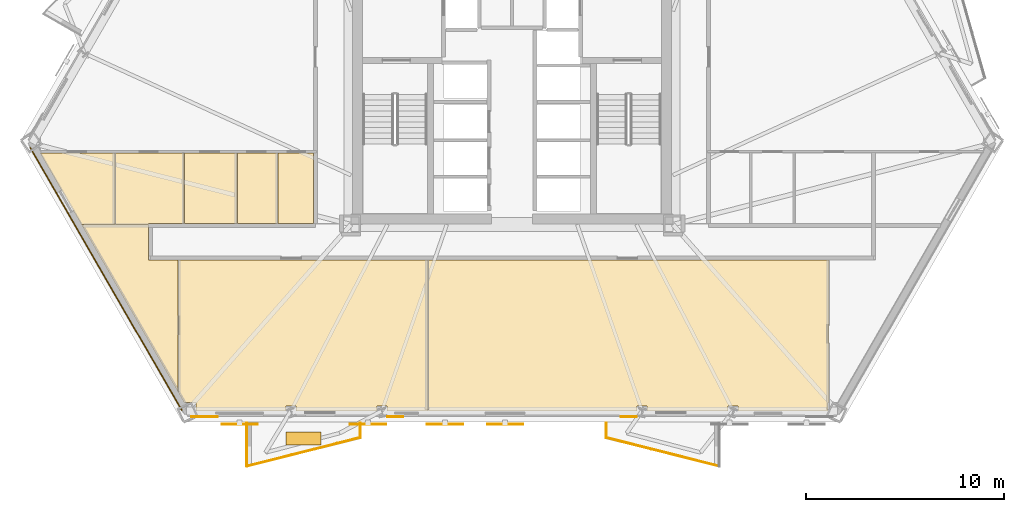
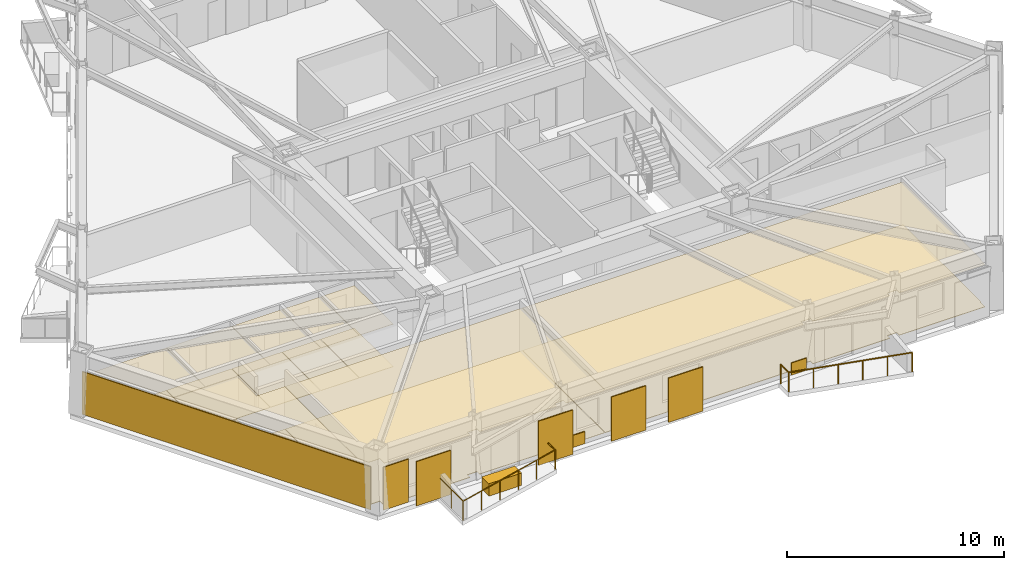
# One storey, part 7 of 12: 21 coverings, 5 railings, 4 shading devices.
"""IFC4 building model written with IfcOpenShell, lengths in metres."""

from ifc_helpers import new_model, si_unit, direction, frame, origin, origin_2d, place, context, subcontext, project, spatial, polyline, rectangle, circle, outline, extrude, material, layer, layer_set, type_object, element, save


model = new_model("IFC4")

# Units and contexts
model_context = context("Model", 3, precision=1e-05, world=origin(), true_north=direction((0.0, 1.0)))
body_context = subcontext(model_context, "Body", "Model", "MODEL_VIEW")
ifc_project = project(units=[si_unit("LENGTHUNIT", "METRE"), si_unit("AREAUNIT", "SQUARE_METRE"), si_unit("VOLUMEUNIT", "CUBIC_METRE"), si_unit("PLANEANGLEUNIT", "RADIAN"), si_unit("MASSUNIT", "GRAM", prefix="KILO")], contexts=[model_context])

# Site, building, storey
site_placement = place(None, origin())
site = spatial("IfcSite", under=ifc_project, at=site_placement, CompositionType="ELEMENT")
building_placement = place(site_placement, origin())
building = spatial("IfcBuilding", under=site, at=building_placement, Name="Oramaril Tower", CompositionType="ELEMENT")
storey_placement = place(building_placement, frame((0.0, 0.0, 30.89990234375)))
storey = spatial("IfcBuildingStorey", under=building, at=storey_placement, Name="L07", CompositionType="ELEMENT", Elevation=30.89990234375)

# Coverings
ifc_material_1 = material(Name="Mineral Fibre Acoustic Ceiling")
ifc_layer_1 = layer(ifc_material_1, 0.02001953125)
ifc_layer_set_1 = layer_set([ifc_layer_1], Name="CVT-CEIL")
covering_type_1 = type_object("IfcCoveringType", Name="CVT-CEIL", PredefinedType="CEILING", material=ifc_layer_set_1)
covering_1_placement = place(storey_placement, frame((0.0, 0.0, 2.400146484375)))
element("IfcCovering", 1, at=covering_1_placement, inside=storey, type_object=covering_type_1, Name="L07 Acoustic Suspended Ceiling 6", PredefinedType="CEILING", context=body_context, shape_type="SweptSolid", body=[
    extrude(outline(polyline([(31.172119140625, 1.807373046875), (30.67822265625, 1.807373046875), (30.67822265625, 1.57373046875), (26.57666015625, 1.57373046875), (26.57666015625, 1.807373046875), (26.06884765625, 1.807373046875), (26.06884765625, 1.57373046875), (21.5078125, 1.57373046875), (21.5078125, 1.990234375), (20.909423828125, 1.990234375), (20.619384765625, 2.492919921875), (20.619384765625, 9.199951171875), (33.241943359375, 9.199951171875), (33.241943359375, 1.57373046875), (31.172119140625, 1.57373046875), (31.172119140625, 1.807373046875)])), origin(), (0.0, 0.0, 1.0), 0.02001953125),
])
covering_2_placement = place(storey_placement, frame((0.0, 0.0, 2.400146484375)))
element("IfcCovering", 2, at=covering_2_placement, inside=storey, type_object=covering_type_1, Name="L07 Acoustic Suspended Ceiling 7", PredefinedType="CEILING", context=body_context, shape_type="SweptSolid", body=[
    extrude(outline(polyline([(15.71240234375, 10.991943359375), (19.10009765625, 10.991943359375), (19.10009765625, 9.219970703125), (19.10009765625, 9.218017578125), (19.100341796875, 9.216064453125), (19.100830078125, 9.214111328125), (19.1015625, 9.21240234375), (19.102294921875, 9.210693359375), (19.103515625, 9.208984375), (19.1044921875, 9.207275390625), (19.10595703125, 9.205810546875), (19.107421875, 9.20458984375), (19.10888671875, 9.203369140625), (19.110595703125, 9.202392578125), (19.1123046875, 9.201416015625), (19.1142578125, 9.200927734375), (19.1162109375, 9.200439453125), (19.117919921875, 9.2001953125), (19.1201171875, 9.199951171875), (20.599365234375, 9.199951171875), (20.599365234375, 2.527587890625), (15.71240234375, 10.991943359375)])), origin(), (0.0, 0.0, 1.0), 0.02001953125),
])
covering_3_placement = place(storey_placement, frame((0.0, 0.0, 2.400146484375)))
element("IfcCovering", 3, at=covering_3_placement, inside=storey, type_object=covering_type_1, Name="L07 Acoustic Suspended Ceiling 8", PredefinedType="CEILING", context=body_context, shape_type="SweptSolid", body=[
    extrude(outline(polyline([(53.4921875, 1.990234375), (53.4921875, 1.57373046875), (48.93115234375, 1.57373046875), (48.93115234375, 1.807373046875), (48.42333984375, 1.807373046875), (48.42333984375, 1.57373046875), (44.32177734375, 1.57373046875), (44.32177734375, 1.807373046875), (43.827880859375, 1.807373046875), (43.827880859375, 1.57373046875), (33.261962890625, 1.57373046875), (33.261962890625, 9.199951171875), (53.53369140625, 9.199951171875), (53.53369140625, 1.990234375), (53.4921875, 1.990234375)])), origin(), (0.0, 0.0, 1.0), 0.02001953125),
])
covering_4_placement = place(storey_placement, frame((0.0, 0.0, 2.400146484375)))
element("IfcCovering", 4, at=covering_4_placement, inside=storey, type_object=covering_type_1, Name="L07 Acoustic Suspended Ceiling 11", PredefinedType="CEILING", context=body_context, shape_type="SweptSolid", body=[
    extrude(outline(polyline([(17.41552734375, 11.011962890625), (15.71240234375, 11.011962890625), (15.71044921875, 11.011962890625), (15.70849609375, 11.01171875), (15.70654296875, 11.010986328125), (15.70458984375, 11.010498046875), (15.702880859375, 11.009521484375), (15.702392578125, 11.00927734375), (13.611083984375, 14.631591796875), (17.41552734375, 14.631591796875), (17.41552734375, 11.011962890625)])), origin(), (0.0, 0.0, 1.0), 0.02001953125),
])
covering_5_placement = place(storey_placement, frame((0.0, 0.0, 2.400146484375)))
element("IfcCovering", 5, at=covering_5_placement, inside=storey, type_object=covering_type_1, Name="L07 Acoustic Suspended Ceiling 12", PredefinedType="CEILING", context=body_context, shape_type="SweptSolid", body=[
    extrude(outline(polyline([(20.89697265625, 11.050048828125), (19.1201171875, 11.050048828125), (19.117919921875, 11.0498046875), (19.1162109375, 11.049560546875), (19.1142578125, 11.049072265625), (19.1123046875, 11.048583984375), (19.110595703125, 11.047607421875), (19.10888671875, 11.046630859375), (19.107421875, 11.04541015625), (19.10595703125, 11.044189453125), (19.1044921875, 11.042724609375), (19.103515625, 11.041015625), (19.102294921875, 11.039306640625), (19.1015625, 11.03759765625), (19.100830078125, 11.035888671875), (19.100341796875, 11.033935546875), (19.10009765625, 11.031982421875), (19.10009765625, 11.030029296875), (19.10009765625, 11.011962890625), (17.435546875, 11.011962890625), (17.435546875, 14.631591796875), (20.89697265625, 14.631591796875), (20.89697265625, 11.050048828125)])), origin(), (0.0, 0.0, 1.0), 0.02001953125),
])
covering_6_placement = place(storey_placement, frame((0.0, 0.0, 2.400146484375)))
element("IfcCovering", 6, at=covering_6_placement, inside=storey, type_object=covering_type_1, Name="L07 Acoustic Suspended Ceiling 13", PredefinedType="CEILING", context=body_context, shape_type="SweptSolid", body=[
    extrude(outline(polyline([(23.58251953125, 11.050048828125), (20.9169921875, 11.050048828125), (20.9169921875, 14.631591796875), (23.58251953125, 14.631591796875), (23.58251953125, 11.050048828125)])), origin(), (0.0, 0.0, 1.0), 0.02001953125),
])
covering_7_placement = place(storey_placement, frame((0.0, 0.0, 2.400146484375)))
element("IfcCovering", 7, at=covering_7_placement, inside=storey, type_object=covering_type_1, Name="L07 Acoustic Suspended Ceiling 14", PredefinedType="CEILING", context=body_context, shape_type="SweptSolid", body=[
    extrude(outline(polyline([(25.632568359375, 11.050048828125), (23.6025390625, 11.050048828125), (23.6025390625, 14.631591796875), (25.632568359375, 14.631591796875), (25.632568359375, 11.050048828125)])), origin(), (0.0, 0.0, 1.0), 0.02001953125),
])
covering_8_placement = place(storey_placement, frame((0.0, 0.0, 2.400146484375)))
element("IfcCovering", 8, at=covering_8_placement, inside=storey, type_object=covering_type_1, Name="L07 Acoustic Suspended Ceiling 15", PredefinedType="CEILING", context=body_context, shape_type="SweptSolid", body=[
    extrude(outline(polyline([(25.652587890625, 14.631591796875), (27.449951171875, 14.631591796875), (27.449951171875, 11.050048828125), (25.652587890625, 11.050048828125), (25.652587890625, 14.631591796875)])), origin(), (0.0, 0.0, 1.0), 0.02001953125),
])
ifc_material_2 = material(Name="Warm Cream Limestone", Category="masonry")
ifc_layer_2 = layer(ifc_material_2, 0.050048828125)
ifc_layer_set_2 = layer_set([ifc_layer_2], Name="CVT-CLD")
covering_type_2 = type_object("IfcCoveringType", Name="CVT-CLD", PredefinedType="CLADDING", material=ifc_layer_set_2)
covering_9_placement = place(storey_placement, frame((16.954833984375, 8.23828125, 0.0400390625), z_axis=(0.0, 0.0, 1.0), x_axis=(0.4999984885, -0.866026276448, 0.0)))
element("IfcCovering", 9, at=covering_9_placement, inside=storey, type_object=covering_type_2, Name="L07 Warm Cream Limestone Cladding", PredefinedType="CLADDING", context=body_context, shape_type="SweptSolid", body=[
    extrude(rectangle(XDim=15.36328125, YDim=0.050048828125, at=origin_2d()), origin(), (0.0, 0.0, 1.0), 2.4140625),
])
covering_10_placement = place(storey_placement, frame((21.937744140625, 1.272705078125, 0.0400390625), z_axis=(0.0, 0.0, 1.0), x_axis=(1.0, 0.0, 0.0)))
element("IfcCovering", 10, at=covering_10_placement, inside=storey, type_object=covering_type_2, Name="L07 Warm Cream Limestone Cladding", PredefinedType="CLADDING", context=body_context, shape_type="SweptSolid", body=[
    extrude(rectangle(XDim=1.35009765625, YDim=0.050048828125, at=origin_2d()), origin(), (0.0, 0.0, 1.0), 2.4140625),
])
for number, where, z_axis, x_axis, name in (
    (11, (31.591552734375, 1.272705078125, 0.0400390625), (0.0, 0.0, 1.0), (1.0, 0.0, 0.0), "L07 Warm Cream Limestone Spandrel Cladding"),
    (12, (43.408447265625, 1.272705078125, 0.0400390625), (0.0, 0.0, 1.0), (1.0, 0.0, 0.0), "L07 Warm Cream Limestone Spandrel Cladding"),
):
    element("IfcCovering", number, at=place(storey_placement, frame(where, z_axis=z_axis, x_axis=x_axis)), inside=storey, type_object=covering_type_2, Name=name, PredefinedType="CLADDING", context=body_context, shape_type="SweptSolid", body=[
        extrude(rectangle(XDim=0.800048828125, YDim=0.050048828125, at=origin_2d()), origin(), (0.0, 0.0, 1.0), 0.679931640625),
    ])
covering_11_placement = place(storey_placement, frame((26.947021484375, 0.169189453125, 0.0), z_axis=(0.0, 0.0, 1.0), x_axis=(1.0, 0.0, 0.0)))
element("IfcCovering", 13, at=covering_11_placement, inside=storey, type_object=covering_type_2, Name="L07 Structural Tree Planter Box L07-BAL-S1", PredefinedType="CLADDING", context=body_context, shape_type="SweptSolid", body=[
    extrude(rectangle(XDim=1.75, YDim=0.64990234375, at=origin_2d()), origin(), (0.0, 0.0, 1.0), 0.699951171875),
])
ifc_material_3 = material(Name="Honed Quartzite Stone Flooring", Category="masonry")
ifc_layer_3 = layer(ifc_material_3, 0.02490234375)
ifc_layer_set_3 = layer_set([ifc_layer_3], Name="CVT-FLR")
covering_type_3 = type_object("IfcCoveringType", Name="CVT-FLR", PredefinedType="FLOORING", material=ifc_layer_set_3)
covering_12_placement = place(storey_placement, origin())
element("IfcCovering", 14, at=covering_12_placement, inside=storey, type_object=covering_type_3, Name="L07 Honed Stone Floor Finish 6", PredefinedType="FLOORING", context=body_context, shape_type="SweptSolid", body=[
    extrude(outline(polyline([(31.172119140625, 1.807373046875), (30.67822265625, 1.807373046875), (30.67822265625, 1.57373046875), (26.57666015625, 1.57373046875), (26.57666015625, 1.807373046875), (26.06884765625, 1.807373046875), (26.06884765625, 1.57373046875), (21.5078125, 1.57373046875), (21.5078125, 1.990234375), (20.909423828125, 1.990234375), (20.619384765625, 2.492919921875), (20.619384765625, 9.199951171875), (33.241943359375, 9.199951171875), (33.241943359375, 1.57373046875), (31.172119140625, 1.57373046875), (31.172119140625, 1.807373046875)])), origin(), (0.0, 0.0, 1.0), 0.025146484375),
])
covering_13_placement = place(storey_placement, origin())
element("IfcCovering", 15, at=covering_13_placement, inside=storey, type_object=covering_type_3, Name="L07 Honed Stone Floor Finish 7", PredefinedType="FLOORING", context=body_context, shape_type="SweptSolid", body=[
    extrude(outline(polyline([(15.71240234375, 10.991943359375), (19.10009765625, 10.991943359375), (19.10009765625, 9.219970703125), (19.10009765625, 9.218017578125), (19.100341796875, 9.216064453125), (19.100830078125, 9.214111328125), (19.1015625, 9.21240234375), (19.102294921875, 9.210693359375), (19.103515625, 9.208984375), (19.1044921875, 9.207275390625), (19.10595703125, 9.205810546875), (19.107421875, 9.20458984375), (19.10888671875, 9.203369140625), (19.110595703125, 9.202392578125), (19.1123046875, 9.201416015625), (19.1142578125, 9.200927734375), (19.1162109375, 9.200439453125), (19.117919921875, 9.2001953125), (19.1201171875, 9.199951171875), (20.599365234375, 9.199951171875), (20.599365234375, 2.527587890625), (15.71240234375, 10.991943359375)])), origin(), (0.0, 0.0, 1.0), 0.025146484375),
])
covering_14_placement = place(storey_placement, origin())
element("IfcCovering", 16, at=covering_14_placement, inside=storey, type_object=covering_type_3, Name="L07 Honed Stone Floor Finish 8", PredefinedType="FLOORING", context=body_context, shape_type="SweptSolid", body=[
    extrude(outline(polyline([(53.4921875, 1.990234375), (53.4921875, 1.57373046875), (48.93115234375, 1.57373046875), (48.93115234375, 1.807373046875), (48.42333984375, 1.807373046875), (48.42333984375, 1.57373046875), (44.32177734375, 1.57373046875), (44.32177734375, 1.807373046875), (43.827880859375, 1.807373046875), (43.827880859375, 1.57373046875), (33.261962890625, 1.57373046875), (33.261962890625, 9.199951171875), (53.53369140625, 9.199951171875), (53.53369140625, 1.990234375), (53.4921875, 1.990234375)])), origin(), (0.0, 0.0, 1.0), 0.025146484375),
])
covering_15_placement = place(storey_placement, origin())
element("IfcCovering", 17, at=covering_15_placement, inside=storey, type_object=covering_type_3, Name="L07 Honed Stone Floor Finish 11", PredefinedType="FLOORING", context=body_context, shape_type="SweptSolid", body=[
    extrude(outline(polyline([(17.41552734375, 11.011962890625), (15.71240234375, 11.011962890625), (15.71044921875, 11.011962890625), (15.70849609375, 11.01171875), (15.70654296875, 11.010986328125), (15.70458984375, 11.010498046875), (15.702880859375, 11.009521484375), (15.702392578125, 11.00927734375), (13.611083984375, 14.631591796875), (17.41552734375, 14.631591796875), (17.41552734375, 11.011962890625)])), origin(), (0.0, 0.0, 1.0), 0.025146484375),
])
covering_16_placement = place(storey_placement, origin())
element("IfcCovering", 18, at=covering_16_placement, inside=storey, type_object=covering_type_3, Name="L07 Honed Stone Floor Finish 12", PredefinedType="FLOORING", context=body_context, shape_type="SweptSolid", body=[
    extrude(outline(polyline([(20.89697265625, 11.050048828125), (19.1201171875, 11.050048828125), (19.117919921875, 11.0498046875), (19.1162109375, 11.049560546875), (19.1142578125, 11.049072265625), (19.1123046875, 11.048583984375), (19.110595703125, 11.047607421875), (19.10888671875, 11.046630859375), (19.107421875, 11.04541015625), (19.10595703125, 11.044189453125), (19.1044921875, 11.042724609375), (19.103515625, 11.041015625), (19.102294921875, 11.039306640625), (19.1015625, 11.03759765625), (19.100830078125, 11.035888671875), (19.100341796875, 11.033935546875), (19.10009765625, 11.031982421875), (19.10009765625, 11.030029296875), (19.10009765625, 11.011962890625), (17.435546875, 11.011962890625), (17.435546875, 14.631591796875), (20.89697265625, 14.631591796875), (20.89697265625, 11.050048828125)])), origin(), (0.0, 0.0, 1.0), 0.025146484375),
])
covering_17_placement = place(storey_placement, origin())
element("IfcCovering", 19, at=covering_17_placement, inside=storey, type_object=covering_type_3, Name="L07 Honed Stone Floor Finish 13", PredefinedType="FLOORING", context=body_context, shape_type="SweptSolid", body=[
    extrude(outline(polyline([(23.58251953125, 11.050048828125), (20.9169921875, 11.050048828125), (20.9169921875, 14.631591796875), (23.58251953125, 14.631591796875), (23.58251953125, 11.050048828125)])), origin(), (0.0, 0.0, 1.0), 0.025146484375),
])
covering_18_placement = place(storey_placement, origin())
element("IfcCovering", 20, at=covering_18_placement, inside=storey, type_object=covering_type_3, Name="L07 Honed Stone Floor Finish 14", PredefinedType="FLOORING", context=body_context, shape_type="SweptSolid", body=[
    extrude(outline(polyline([(25.632568359375, 11.050048828125), (23.6025390625, 11.050048828125), (23.6025390625, 14.631591796875), (25.632568359375, 14.631591796875), (25.632568359375, 11.050048828125)])), origin(), (0.0, 0.0, 1.0), 0.025146484375),
])
covering_19_placement = place(storey_placement, origin())
element("IfcCovering", 21, at=covering_19_placement, inside=storey, type_object=covering_type_3, Name="L07 Honed Stone Floor Finish 15", PredefinedType="FLOORING", context=body_context, shape_type="SweptSolid", body=[
    extrude(outline(polyline([(25.652587890625, 14.631591796875), (27.449951171875, 14.631591796875), (27.449951171875, 11.050048828125), (25.652587890625, 11.050048828125), (25.652587890625, 14.631591796875)])), origin(), (0.0, 0.0, 1.0), 0.025146484375),
])

# Railings
ifc_material_4 = material(Name="Stainless Steel 316L", Category="steel")
railing_type = type_object("IfcRailingType", Name="RLT-GRD", PredefinedType="GUARDRAIL", material=ifc_material_4)
railing_1_placement = place(storey_placement, frame((29.81201171875, 0.957763671875, 0.0)))
element("IfcRailing", 22, at=railing_1_placement, inside=storey, type_object=railing_type, Name="L07 Balcony Guardrail L07-BAL-S1.1", PredefinedType="GUARDRAIL", context=body_context, shape_type="SweptSolid", body=[
    extrude(circle(Radius=0.02392578125, at=origin_2d()), frame((0.0, 0.0, 1.076171875), z_axis=(0.0, -1.0, 0.0), x_axis=(1.0, 0.0, 0.0)), (0.0, 0.0, 1.0), 0.741943359375),
    extrude(circle(Radius=0.02099609375, at=origin_2d()), origin(), (0.0, 0.0, 1.0), 1.052001953125),
    extrude(circle(Radius=0.02099609375, at=origin_2d()), frame((0.0, -0.741943359375, 0.0)), (0.0, 0.0, 1.0), 1.052001953125),
])
railing_2_placement = place(storey_placement, frame((29.81201171875, 0.2158203125, 0.0)))
element("IfcRailing", 23, at=railing_2_placement, inside=storey, type_object=railing_type, Name="L07 Balcony Guardrail L07-BAL-S1.2", PredefinedType="GUARDRAIL", context=body_context, shape_type="SweptSolid", body=[
    extrude(circle(Radius=0.02392578125, at=origin_2d()), frame((0.0, 0.0, 1.076171875), z_axis=(-0.969433787338, -0.245353076131, 0.0), x_axis=(0.245353076131, -0.969433787338, 0.0)), (0.0, 0.0, 1.0), 5.91064453125),
    extrude(circle(Radius=0.02099609375, at=origin_2d()), origin(), (0.0, 0.0, 1.0), 1.052001953125),
    extrude(circle(Radius=0.02099609375, at=origin_2d()), frame((-1.14599609375, -0.2900390625, 0.0)), (0.0, 0.0, 1.0), 1.052001953125),
    extrude(circle(Radius=0.02099609375, at=origin_2d()), frame((-2.2919921875, -0.580078125, 0.0)), (0.0, 0.0, 1.0), 1.052001953125),
    extrude(circle(Radius=0.02099609375, at=origin_2d()), frame((-3.43798828125, -0.8701171875, 0.0)), (0.0, 0.0, 1.0), 1.052001953125),
    extrude(circle(Radius=0.02099609375, at=origin_2d()), frame((-4.583984375, -1.16015625, 0.0)), (0.0, 0.0, 1.0), 1.052001953125),
    extrude(circle(Radius=0.02099609375, at=origin_2d()), frame((-5.72998046875, -1.4501953125, 0.0)), (0.0, 0.0, 1.0), 1.052001953125),
])
railing_3_placement = place(storey_placement, frame((24.08203125, -1.234375, 0.0)))
element("IfcRailing", 24, at=railing_3_placement, inside=storey, type_object=railing_type, Name="L07 Balcony Guardrail L07-BAL-S1.3", PredefinedType="GUARDRAIL", context=body_context, shape_type="SweptSolid", body=[
    extrude(circle(Radius=0.02392578125, at=origin_2d()), frame((0.0, 0.0, 1.076171875), z_axis=(0.0, 1.0, 0.0), x_axis=(-1.0, 0.0, 0.0)), (0.0, 0.0, 1.0), 2.192138671875),
    extrude(circle(Radius=0.02099609375, at=origin_2d()), origin(), (0.0, 0.0, 1.0), 1.052001953125),
    extrude(circle(Radius=0.02099609375, at=origin_2d()), frame((0.0, 1.09619140625, 0.0)), (0.0, 0.0, 1.0), 1.052001953125),
    extrude(circle(Radius=0.02099609375, at=origin_2d()), frame((0.0, 2.192138671875, 0.0)), (0.0, 0.0, 1.0), 1.052001953125),
])
railing_4_placement = place(storey_placement, frame((47.992919921875, -1.234375, 0.0)))
element("IfcRailing", 25, at=railing_4_placement, inside=storey, type_object=railing_type, Name="L07 Balcony Guardrail L07-BAL-S2.2", PredefinedType="GUARDRAIL", context=body_context, shape_type="SweptSolid", body=[
    extrude(circle(Radius=0.02392578125, at=origin_2d()), frame((0.0, 0.0, 1.076171875), z_axis=(-0.969433787338, 0.245353076131, 0.0), x_axis=(-0.245353076131, -0.969433787338, 0.0)), (0.0, 0.0, 1.0), 5.91064453125),
    extrude(circle(Radius=0.02099609375, at=origin_2d()), origin(), (0.0, 0.0, 1.0), 1.052001953125),
    extrude(circle(Radius=0.02099609375, at=origin_2d()), frame((-1.14599609375, 0.2900390625, 0.0)), (0.0, 0.0, 1.0), 1.052001953125),
    extrude(circle(Radius=0.02099609375, at=origin_2d()), frame((-2.2919921875, 0.580078125, 0.0)), (0.0, 0.0, 1.0), 1.052001953125),
    extrude(circle(Radius=0.02099609375, at=origin_2d()), frame((-3.43798828125, 0.8701171875, 0.0)), (0.0, 0.0, 1.0), 1.052001953125),
    extrude(circle(Radius=0.02099609375, at=origin_2d()), frame((-4.583984375, 1.16015625, 0.0)), (0.0, 0.0, 1.0), 1.052001953125),
    extrude(circle(Radius=0.02099609375, at=origin_2d()), frame((-5.72998046875, 1.4501953125, 0.0)), (0.0, 0.0, 1.0), 1.052001953125),
])
railing_5_placement = place(storey_placement, frame((42.262939453125, 0.2158203125, 0.0)))
element("IfcRailing", 26, at=railing_5_placement, inside=storey, type_object=railing_type, Name="L07 Balcony Guardrail L07-BAL-S2.3", PredefinedType="GUARDRAIL", context=body_context, shape_type="SweptSolid", body=[
    extrude(circle(Radius=0.02392578125, at=origin_2d()), frame((0.0, 0.0, 1.076171875), z_axis=(0.0, 1.0, 0.0), x_axis=(-1.0, 0.0, 0.0)), (0.0, 0.0, 1.0), 0.741943359375),
    extrude(circle(Radius=0.02099609375, at=origin_2d()), origin(), (0.0, 0.0, 1.0), 1.052001953125),
    extrude(circle(Radius=0.02099609375, at=origin_2d()), frame((0.0, 0.741943359375, 0.0)), (0.0, 0.0, 1.0), 1.052001953125),
])

# Shading devices
for number, where, z_axis, x_axis, name in (
    (27, (23.714599609375, 0.8857421875, -0.02001953125), (0.0, 0.0, 1.0), (1.0, 0.0, 0.0), "L07 Perforated Ceramic Solar Screen"),
    (28, (30.214599609375, 0.8857421875, -0.02001953125), (0.0, 0.0, 1.0), (1.0, 0.0, 0.0), "L07 Perforated Ceramic Solar Screen"),
    (29, (34.114501953125, 0.8857421875, -0.02001953125), (0.0, 0.0, 1.0), (1.0, 0.0, 0.0), "L07 Perforated Ceramic Solar Screen"),
    (30, (37.151611328125, 0.8857421875, -0.02001953125), (0.0, 0.0, 1.0), (1.0, 0.0, 0.0), "L07 Perforated Ceramic Solar Screen"),
):
    element("IfcShadingDevice", number, at=place(storey_placement, frame(where, z_axis=z_axis, x_axis=x_axis)), inside=storey, Name=name, ObjectType="SCREEN", PredefinedType="USERDEFINED", context=body_context, shape_type="SweptSolid", body=[
        extrude(rectangle(XDim=1.8330078125, YDim=0.050048828125, at=origin_2d()), origin(), (0.0, 0.0, 1.0), 2.493896484375),
    ])

save(model, "model.ifc")
